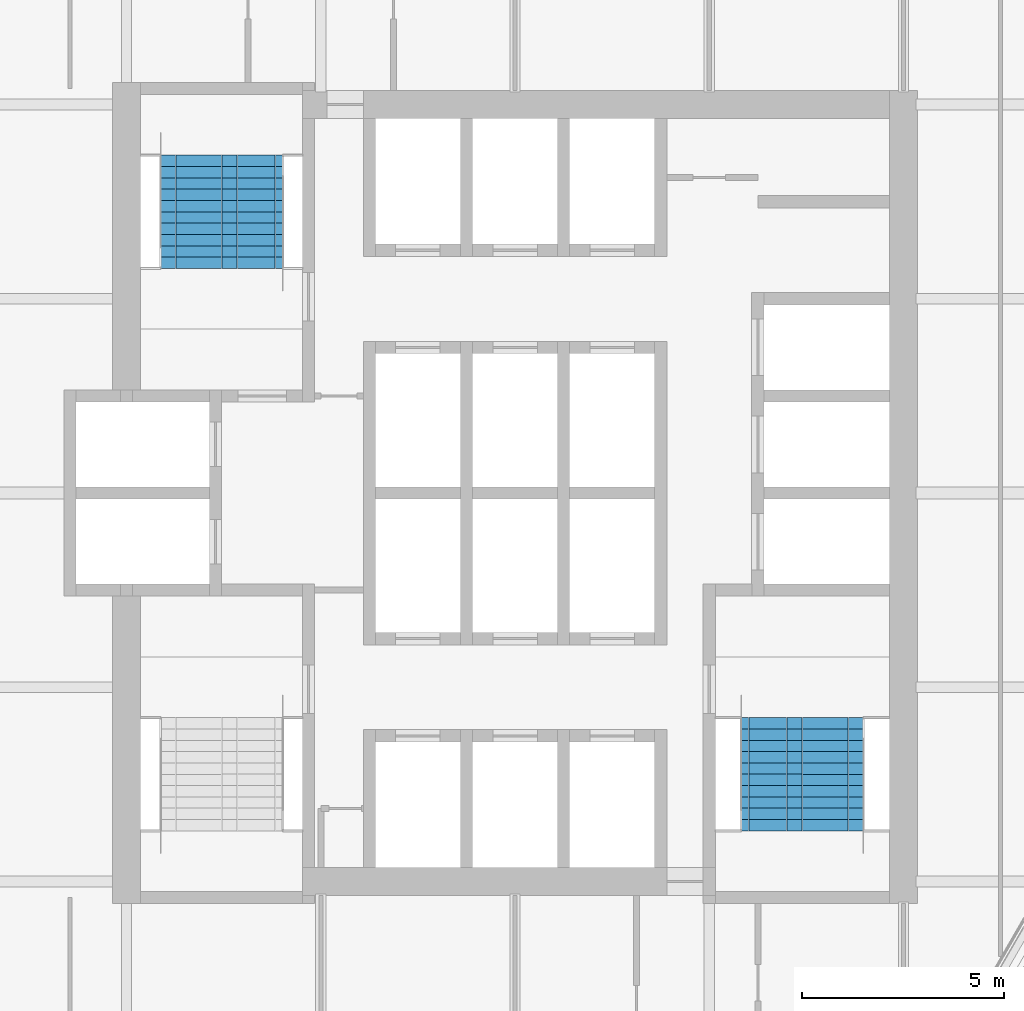
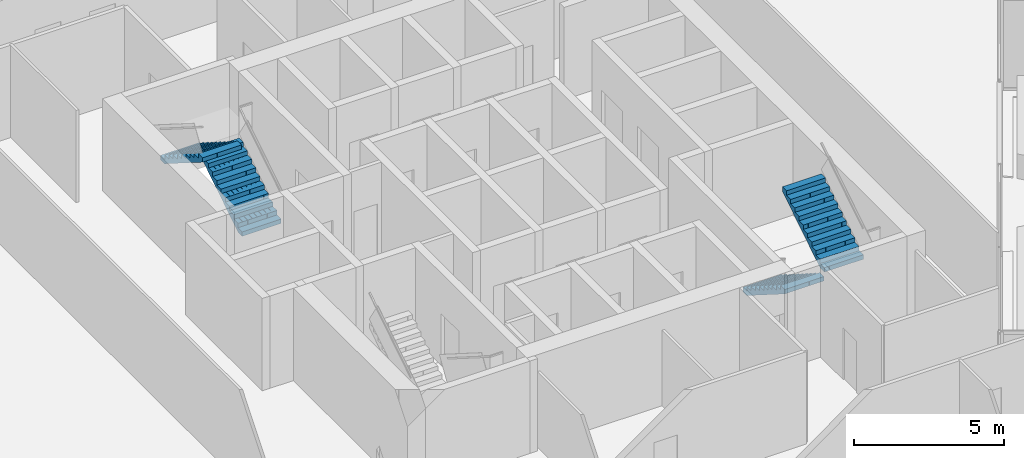
# One storey, part 15 of 17: 4 stair flights, 2 elements without a shape of their own.
"""IFC4 building model written with IfcOpenShell, lengths in metres."""

from ifc_helpers import new_model, si_unit, direction, frame, origin, place, context, subcontext, project, spatial, polyline, outline, extrude, material, type_object, element, aggregate, save


model = new_model("IFC4")

# Units and contexts
model_context = context("Model", 3, precision=1e-05, world=origin(), true_north=direction((0.0, 1.0)))
body_context = subcontext(model_context, "Body", "Model", "MODEL_VIEW")
ifc_project = project(units=[si_unit("LENGTHUNIT", "METRE"), si_unit("AREAUNIT", "SQUARE_METRE"), si_unit("VOLUMEUNIT", "CUBIC_METRE"), si_unit("PLANEANGLEUNIT", "RADIAN"), si_unit("MASSUNIT", "GRAM", prefix="KILO")], contexts=[model_context])

# Site, building, storey
site_placement = place(None, origin())
site = spatial("IfcSite", under=ifc_project, at=site_placement, CompositionType="ELEMENT")
building_placement = place(site_placement, origin())
building = spatial("IfcBuilding", under=site, at=building_placement, Name="Kolab Exchange Tower", CompositionType="ELEMENT")
storey_placement = place(building_placement, frame((0.0, 0.0, 197.300048828125)))
storey = spatial("IfcBuildingStorey", under=building, at=storey_placement, Name="L42", CompositionType="ELEMENT", Elevation=197.300048828125)

# Stair, stair flights
ifc_material = material(Name="Concrete C50/60", Category="concrete")
stair_type_1 = type_object("IfcStairType", Name="STAIR ST1 RISER 177.3", PredefinedType="HALF_TURN_STAIR", material=ifc_material)
stair_1_placement = place(storey_placement, origin())
stair_1 = element("IfcStair", 1, at=stair_1_placement, inside=storey, type_object=stair_type_1, Name="Stair 1", PredefinedType="HALF_TURN_STAIR")
stair_flight_type = type_object("IfcStairFlightType", Name="STAIR FLIGHT 1500 RISER 177.3", PredefinedType="STRAIGHT", material=ifc_material)
stair_flight_1_placement = place(storey_placement, frame((-6.489990234375, 5.550048828125, 0.0), z_axis=(0.0, 0.0, 1.0), x_axis=(0.0, 1.0, 0.0)))
stair_flight_1 = element("IfcStairFlight", 2, at=stair_flight_1_placement, type_object=stair_flight_type, Name="ST1 flight 1", NumberOfRisers=11, NumberOfTreads=10, PredefinedType="STRAIGHT", RiserHeight=0.177272727, TreadLength=0.28, context=body_context, shape_type="SweptSolid", body=[
    extrude(outline(polyline([(0.0, 0.0), (0.0, 0.17724609375), (0.280029296875, 0.17724609375), (0.280029296875, 0.3544921875), (0.56005859375, 0.3544921875), (0.56005859375, 0.53173828125), (0.840087890625, 0.53173828125), (0.840087890625, 0.708984375), (1.1201171875, 0.708984375), (1.1201171875, 0.886474609375), (1.39990234375, 0.886474609375), (1.39990234375, 1.063720703125), (1.679931640625, 1.063720703125), (1.679931640625, 1.240966796875), (1.9599609375, 1.240966796875), (1.9599609375, 1.418212890625), (2.239990234375, 1.418212890625), (2.239990234375, 1.595458984375), (2.52001953125, 1.595458984375), (2.52001953125, 1.772705078125), (2.800048828125, 1.772705078125), (2.800048828125, 1.949951171875), (2.800048828125, 1.59521484375), (0.2802734375, 0.0), (0.0, 0.0)])), frame((0.0, 0.75, 0.0), z_axis=(0.0, -1.0, 0.0), x_axis=(1.0, 0.0, 0.0)), (0.0, 0.0, 1.0), 0.185791015625),
    extrude(outline(polyline([(0.0, 0.0), (0.0, 0.17724609375), (0.280029296875, 0.17724609375), (0.280029296875, 0.3544921875), (0.56005859375, 0.3544921875), (0.56005859375, 0.53173828125), (0.840087890625, 0.53173828125), (0.840087890625, 0.708984375), (1.1201171875, 0.708984375), (1.1201171875, 0.886474609375), (1.39990234375, 0.886474609375), (1.39990234375, 1.063720703125), (1.679931640625, 1.063720703125), (1.679931640625, 1.240966796875), (1.9599609375, 1.240966796875), (1.9599609375, 1.418212890625), (2.239990234375, 1.418212890625), (2.239990234375, 1.595458984375), (2.52001953125, 1.595458984375), (2.52001953125, 1.772705078125), (2.800048828125, 1.772705078125), (2.800048828125, 1.949951171875), (2.800048828125, 1.59521484375), (0.2802734375, 0.0), (0.0, 0.0)])), frame((0.0, 0.562255859375, 0.0), z_axis=(0.0, -1.0, 0.0), x_axis=(1.0, 0.0, 0.0)), (0.0, 0.0, 1.0), 0.185791015625),
    extrude(outline(polyline([(0.0, 0.0), (0.0, 0.17724609375), (0.280029296875, 0.17724609375), (0.280029296875, 0.3544921875), (0.56005859375, 0.3544921875), (0.56005859375, 0.53173828125), (0.840087890625, 0.53173828125), (0.840087890625, 0.708984375), (1.1201171875, 0.708984375), (1.1201171875, 0.886474609375), (1.39990234375, 0.886474609375), (1.39990234375, 1.063720703125), (1.679931640625, 1.063720703125), (1.679931640625, 1.240966796875), (1.9599609375, 1.240966796875), (1.9599609375, 1.418212890625), (2.239990234375, 1.418212890625), (2.239990234375, 1.595458984375), (2.52001953125, 1.595458984375), (2.52001953125, 1.772705078125), (2.800048828125, 1.772705078125), (2.800048828125, 1.949951171875), (2.800048828125, 1.59521484375), (0.2802734375, 0.0), (0.0, 0.0)])), frame((0.0, 0.37451171875, 0.0), z_axis=(0.0, -1.0, 0.0), x_axis=(1.0, 0.0, 0.0)), (0.0, 0.0, 1.0), 0.185791015625),
    extrude(outline(polyline([(0.0, 0.0), (0.0, 0.17724609375), (0.280029296875, 0.17724609375), (0.280029296875, 0.3544921875), (0.56005859375, 0.3544921875), (0.56005859375, 0.53173828125), (0.840087890625, 0.53173828125), (0.840087890625, 0.708984375), (1.1201171875, 0.708984375), (1.1201171875, 0.886474609375), (1.39990234375, 0.886474609375), (1.39990234375, 1.063720703125), (1.679931640625, 1.063720703125), (1.679931640625, 1.240966796875), (1.9599609375, 1.240966796875), (1.9599609375, 1.418212890625), (2.239990234375, 1.418212890625), (2.239990234375, 1.595458984375), (2.52001953125, 1.595458984375), (2.52001953125, 1.772705078125), (2.800048828125, 1.772705078125), (2.800048828125, 1.949951171875), (2.800048828125, 1.59521484375), (0.2802734375, 0.0), (0.0, 0.0)])), frame((0.0, 0.186767578125, 0.0), z_axis=(0.0, -1.0, 0.0), x_axis=(1.0, 0.0, 0.0)), (0.0, 0.0, 1.0), 0.185791015625),
    extrude(outline(polyline([(0.0, 0.0), (0.0, 0.17724609375), (0.280029296875, 0.17724609375), (0.280029296875, 0.3544921875), (0.56005859375, 0.3544921875), (0.56005859375, 0.53173828125), (0.840087890625, 0.53173828125), (0.840087890625, 0.708984375), (1.1201171875, 0.708984375), (1.1201171875, 0.886474609375), (1.39990234375, 0.886474609375), (1.39990234375, 1.063720703125), (1.679931640625, 1.063720703125), (1.679931640625, 1.240966796875), (1.9599609375, 1.240966796875), (1.9599609375, 1.418212890625), (2.239990234375, 1.418212890625), (2.239990234375, 1.595458984375), (2.52001953125, 1.595458984375), (2.52001953125, 1.772705078125), (2.800048828125, 1.772705078125), (2.800048828125, 1.949951171875), (2.800048828125, 1.59521484375), (0.2802734375, 0.0), (0.0, 0.0)])), frame((0.0, -0.0009765625, 0.0), z_axis=(0.0, -1.0, 0.0), x_axis=(1.0, 0.0, 0.0)), (0.0, 0.0, 1.0), 0.185791015625),
    extrude(outline(polyline([(0.0, 0.0), (0.0, 0.17724609375), (0.280029296875, 0.17724609375), (0.280029296875, 0.3544921875), (0.56005859375, 0.3544921875), (0.56005859375, 0.53173828125), (0.840087890625, 0.53173828125), (0.840087890625, 0.708984375), (1.1201171875, 0.708984375), (1.1201171875, 0.886474609375), (1.39990234375, 0.886474609375), (1.39990234375, 1.063720703125), (1.679931640625, 1.063720703125), (1.679931640625, 1.240966796875), (1.9599609375, 1.240966796875), (1.9599609375, 1.418212890625), (2.239990234375, 1.418212890625), (2.239990234375, 1.595458984375), (2.52001953125, 1.595458984375), (2.52001953125, 1.772705078125), (2.800048828125, 1.772705078125), (2.800048828125, 1.949951171875), (2.800048828125, 1.59521484375), (0.2802734375, 0.0), (0.0, 0.0)])), frame((0.0, -0.188720703125, 0.0), z_axis=(0.0, -1.0, 0.0), x_axis=(1.0, 0.0, 0.0)), (0.0, 0.0, 1.0), 0.185791015625),
    extrude(outline(polyline([(0.0, 0.0), (0.0, 0.17724609375), (0.280029296875, 0.17724609375), (0.280029296875, 0.3544921875), (0.56005859375, 0.3544921875), (0.56005859375, 0.53173828125), (0.840087890625, 0.53173828125), (0.840087890625, 0.708984375), (1.1201171875, 0.708984375), (1.1201171875, 0.886474609375), (1.39990234375, 0.886474609375), (1.39990234375, 1.063720703125), (1.679931640625, 1.063720703125), (1.679931640625, 1.240966796875), (1.9599609375, 1.240966796875), (1.9599609375, 1.418212890625), (2.239990234375, 1.418212890625), (2.239990234375, 1.595458984375), (2.52001953125, 1.595458984375), (2.52001953125, 1.772705078125), (2.800048828125, 1.772705078125), (2.800048828125, 1.949951171875), (2.800048828125, 1.59521484375), (0.2802734375, 0.0), (0.0, 0.0)])), frame((0.0, -0.37646484375, 0.0), z_axis=(0.0, -1.0, 0.0), x_axis=(1.0, 0.0, 0.0)), (0.0, 0.0, 1.0), 0.185791015625),
    extrude(outline(polyline([(0.0, 0.0), (0.0, 0.17724609375), (0.280029296875, 0.17724609375), (0.280029296875, 0.3544921875), (0.56005859375, 0.3544921875), (0.56005859375, 0.53173828125), (0.840087890625, 0.53173828125), (0.840087890625, 0.708984375), (1.1201171875, 0.708984375), (1.1201171875, 0.886474609375), (1.39990234375, 0.886474609375), (1.39990234375, 1.063720703125), (1.679931640625, 1.063720703125), (1.679931640625, 1.240966796875), (1.9599609375, 1.240966796875), (1.9599609375, 1.418212890625), (2.239990234375, 1.418212890625), (2.239990234375, 1.595458984375), (2.52001953125, 1.595458984375), (2.52001953125, 1.772705078125), (2.800048828125, 1.772705078125), (2.800048828125, 1.949951171875), (2.800048828125, 1.59521484375), (0.2802734375, 0.0), (0.0, 0.0)])), frame((0.0, -0.564208984375, 0.0), z_axis=(0.0, -1.0, 0.0), x_axis=(1.0, 0.0, 0.0)), (0.0, 0.0, 1.0), 0.185791015625),
])
stair_flight_2_placement = place(storey_placement, frame((-8.010009765625, 8.35009765625, 1.949951171875), z_axis=(0.0, 0.0, 1.0), x_axis=(0.0, -1.0, 0.0)))
stair_flight_2 = element("IfcStairFlight", 3, at=stair_flight_2_placement, type_object=stair_flight_type, Name="ST1 flight 2", NumberOfRisers=11, NumberOfTreads=10, PredefinedType="STRAIGHT", RiserHeight=0.177272727, TreadLength=0.28, context=body_context, shape_type="SweptSolid", body=[
    extrude(outline(polyline([(0.0, 0.0), (0.0, 0.17724609375), (0.280029296875, 0.17724609375), (0.280029296875, 0.3544921875), (0.56005859375, 0.3544921875), (0.56005859375, 0.53173828125), (0.840087890625, 0.53173828125), (0.840087890625, 0.708984375), (1.1201171875, 0.708984375), (1.1201171875, 0.886474609375), (1.39990234375, 0.886474609375), (1.39990234375, 1.063720703125), (1.679931640625, 1.063720703125), (1.679931640625, 1.240966796875), (1.9599609375, 1.240966796875), (1.9599609375, 1.418212890625), (2.239990234375, 1.418212890625), (2.239990234375, 1.595458984375), (2.52001953125, 1.595458984375), (2.52001953125, 1.772705078125), (2.800048828125, 1.772705078125), (2.800048828125, 1.949951171875), (2.800048828125, 1.59521484375), (0.2802734375, 0.0), (0.0, 0.0)])), frame((0.0, 0.75, 0.0), z_axis=(0.0, -1.0, 0.0), x_axis=(1.0, 0.0, 0.0)), (0.0, 0.0, 1.0), 0.185791015625),
    extrude(outline(polyline([(0.0, 0.0), (0.0, 0.17724609375), (0.280029296875, 0.17724609375), (0.280029296875, 0.3544921875), (0.56005859375, 0.3544921875), (0.56005859375, 0.53173828125), (0.840087890625, 0.53173828125), (0.840087890625, 0.708984375), (1.1201171875, 0.708984375), (1.1201171875, 0.886474609375), (1.39990234375, 0.886474609375), (1.39990234375, 1.063720703125), (1.679931640625, 1.063720703125), (1.679931640625, 1.240966796875), (1.9599609375, 1.240966796875), (1.9599609375, 1.418212890625), (2.239990234375, 1.418212890625), (2.239990234375, 1.595458984375), (2.52001953125, 1.595458984375), (2.52001953125, 1.772705078125), (2.800048828125, 1.772705078125), (2.800048828125, 1.949951171875), (2.800048828125, 1.59521484375), (0.2802734375, 0.0), (0.0, 0.0)])), frame((0.0, 0.562255859375, 0.0), z_axis=(0.0, -1.0, 0.0), x_axis=(1.0, 0.0, 0.0)), (0.0, 0.0, 1.0), 0.185791015625),
    extrude(outline(polyline([(0.0, 0.0), (0.0, 0.17724609375), (0.280029296875, 0.17724609375), (0.280029296875, 0.3544921875), (0.56005859375, 0.3544921875), (0.56005859375, 0.53173828125), (0.840087890625, 0.53173828125), (0.840087890625, 0.708984375), (1.1201171875, 0.708984375), (1.1201171875, 0.886474609375), (1.39990234375, 0.886474609375), (1.39990234375, 1.063720703125), (1.679931640625, 1.063720703125), (1.679931640625, 1.240966796875), (1.9599609375, 1.240966796875), (1.9599609375, 1.418212890625), (2.239990234375, 1.418212890625), (2.239990234375, 1.595458984375), (2.52001953125, 1.595458984375), (2.52001953125, 1.772705078125), (2.800048828125, 1.772705078125), (2.800048828125, 1.949951171875), (2.800048828125, 1.59521484375), (0.2802734375, 0.0), (0.0, 0.0)])), frame((0.0, 0.37451171875, 0.0), z_axis=(0.0, -1.0, 0.0), x_axis=(1.0, 0.0, 0.0)), (0.0, 0.0, 1.0), 0.185791015625),
    extrude(outline(polyline([(0.0, 0.0), (0.0, 0.17724609375), (0.280029296875, 0.17724609375), (0.280029296875, 0.3544921875), (0.56005859375, 0.3544921875), (0.56005859375, 0.53173828125), (0.840087890625, 0.53173828125), (0.840087890625, 0.708984375), (1.1201171875, 0.708984375), (1.1201171875, 0.886474609375), (1.39990234375, 0.886474609375), (1.39990234375, 1.063720703125), (1.679931640625, 1.063720703125), (1.679931640625, 1.240966796875), (1.9599609375, 1.240966796875), (1.9599609375, 1.418212890625), (2.239990234375, 1.418212890625), (2.239990234375, 1.595458984375), (2.52001953125, 1.595458984375), (2.52001953125, 1.772705078125), (2.800048828125, 1.772705078125), (2.800048828125, 1.949951171875), (2.800048828125, 1.59521484375), (0.2802734375, 0.0), (0.0, 0.0)])), frame((0.0, 0.186767578125, 0.0), z_axis=(0.0, -1.0, 0.0), x_axis=(1.0, 0.0, 0.0)), (0.0, 0.0, 1.0), 0.185791015625),
    extrude(outline(polyline([(0.0, 0.0), (0.0, 0.17724609375), (0.280029296875, 0.17724609375), (0.280029296875, 0.3544921875), (0.56005859375, 0.3544921875), (0.56005859375, 0.53173828125), (0.840087890625, 0.53173828125), (0.840087890625, 0.708984375), (1.1201171875, 0.708984375), (1.1201171875, 0.886474609375), (1.39990234375, 0.886474609375), (1.39990234375, 1.063720703125), (1.679931640625, 1.063720703125), (1.679931640625, 1.240966796875), (1.9599609375, 1.240966796875), (1.9599609375, 1.418212890625), (2.239990234375, 1.418212890625), (2.239990234375, 1.595458984375), (2.52001953125, 1.595458984375), (2.52001953125, 1.772705078125), (2.800048828125, 1.772705078125), (2.800048828125, 1.949951171875), (2.800048828125, 1.59521484375), (0.2802734375, 0.0), (0.0, 0.0)])), frame((0.0, -0.0009765625, 0.0), z_axis=(0.0, -1.0, 0.0), x_axis=(1.0, 0.0, 0.0)), (0.0, 0.0, 1.0), 0.185791015625),
    extrude(outline(polyline([(0.0, 0.0), (0.0, 0.17724609375), (0.280029296875, 0.17724609375), (0.280029296875, 0.3544921875), (0.56005859375, 0.3544921875), (0.56005859375, 0.53173828125), (0.840087890625, 0.53173828125), (0.840087890625, 0.708984375), (1.1201171875, 0.708984375), (1.1201171875, 0.886474609375), (1.39990234375, 0.886474609375), (1.39990234375, 1.063720703125), (1.679931640625, 1.063720703125), (1.679931640625, 1.240966796875), (1.9599609375, 1.240966796875), (1.9599609375, 1.418212890625), (2.239990234375, 1.418212890625), (2.239990234375, 1.595458984375), (2.52001953125, 1.595458984375), (2.52001953125, 1.772705078125), (2.800048828125, 1.772705078125), (2.800048828125, 1.949951171875), (2.800048828125, 1.59521484375), (0.2802734375, 0.0), (0.0, 0.0)])), frame((0.0, -0.188720703125, 0.0), z_axis=(0.0, -1.0, 0.0), x_axis=(1.0, 0.0, 0.0)), (0.0, 0.0, 1.0), 0.185791015625),
    extrude(outline(polyline([(0.0, 0.0), (0.0, 0.17724609375), (0.280029296875, 0.17724609375), (0.280029296875, 0.3544921875), (0.56005859375, 0.3544921875), (0.56005859375, 0.53173828125), (0.840087890625, 0.53173828125), (0.840087890625, 0.708984375), (1.1201171875, 0.708984375), (1.1201171875, 0.886474609375), (1.39990234375, 0.886474609375), (1.39990234375, 1.063720703125), (1.679931640625, 1.063720703125), (1.679931640625, 1.240966796875), (1.9599609375, 1.240966796875), (1.9599609375, 1.418212890625), (2.239990234375, 1.418212890625), (2.239990234375, 1.595458984375), (2.52001953125, 1.595458984375), (2.52001953125, 1.772705078125), (2.800048828125, 1.772705078125), (2.800048828125, 1.949951171875), (2.800048828125, 1.59521484375), (0.2802734375, 0.0), (0.0, 0.0)])), frame((0.0, -0.37646484375, 0.0), z_axis=(0.0, -1.0, 0.0), x_axis=(1.0, 0.0, 0.0)), (0.0, 0.0, 1.0), 0.185791015625),
    extrude(outline(polyline([(0.0, 0.0), (0.0, 0.17724609375), (0.280029296875, 0.17724609375), (0.280029296875, 0.3544921875), (0.56005859375, 0.3544921875), (0.56005859375, 0.53173828125), (0.840087890625, 0.53173828125), (0.840087890625, 0.708984375), (1.1201171875, 0.708984375), (1.1201171875, 0.886474609375), (1.39990234375, 0.886474609375), (1.39990234375, 1.063720703125), (1.679931640625, 1.063720703125), (1.679931640625, 1.240966796875), (1.9599609375, 1.240966796875), (1.9599609375, 1.418212890625), (2.239990234375, 1.418212890625), (2.239990234375, 1.595458984375), (2.52001953125, 1.595458984375), (2.52001953125, 1.772705078125), (2.800048828125, 1.772705078125), (2.800048828125, 1.949951171875), (2.800048828125, 1.59521484375), (0.2802734375, 0.0), (0.0, 0.0)])), frame((0.0, -0.564208984375, 0.0), z_axis=(0.0, -1.0, 0.0), x_axis=(1.0, 0.0, 0.0)), (0.0, 0.0, 1.0), 0.185791015625),
])
aggregate(stair_1, [stair_flight_1, stair_flight_2])

stair_type_2 = type_object("IfcStairType", Name="STAIR ST2 RISER 177.3", PredefinedType="HALF_TURN_STAIR", material=ifc_material)
stair_2_placement = place(storey_placement, origin())
stair_2 = element("IfcStair", 4, at=stair_2_placement, inside=storey, type_object=stair_type_2, Name="Stair 2", PredefinedType="HALF_TURN_STAIR")
stair_flight_3_placement = place(storey_placement, frame((6.340087890625, -5.550048828125, 0.0), z_axis=(0.0, 0.0, 1.0), x_axis=(0.0, -1.0, 0.0)))
stair_flight_3 = element("IfcStairFlight", 5, at=stair_flight_3_placement, type_object=stair_flight_type, Name="ST2 flight 1", NumberOfRisers=11, NumberOfTreads=10, PredefinedType="STRAIGHT", RiserHeight=0.177272727, TreadLength=0.28, context=body_context, shape_type="SweptSolid", body=[
    extrude(outline(polyline([(0.0, 0.0), (0.0, 0.17724609375), (0.280029296875, 0.17724609375), (0.280029296875, 0.3544921875), (0.56005859375, 0.3544921875), (0.56005859375, 0.53173828125), (0.840087890625, 0.53173828125), (0.840087890625, 0.708984375), (1.1201171875, 0.708984375), (1.1201171875, 0.886474609375), (1.39990234375, 0.886474609375), (1.39990234375, 1.063720703125), (1.679931640625, 1.063720703125), (1.679931640625, 1.240966796875), (1.9599609375, 1.240966796875), (1.9599609375, 1.418212890625), (2.239990234375, 1.418212890625), (2.239990234375, 1.595458984375), (2.52001953125, 1.595458984375), (2.52001953125, 1.772705078125), (2.800048828125, 1.772705078125), (2.800048828125, 1.949951171875), (2.800048828125, 1.59521484375), (0.2802734375, 0.0), (0.0, 0.0)])), frame((0.0, 0.75, 0.0), z_axis=(0.0, -1.0, 0.0), x_axis=(1.0, 0.0, 0.0)), (0.0, 0.0, 1.0), 0.185791015625),
    extrude(outline(polyline([(0.0, 0.0), (0.0, 0.17724609375), (0.280029296875, 0.17724609375), (0.280029296875, 0.3544921875), (0.56005859375, 0.3544921875), (0.56005859375, 0.53173828125), (0.840087890625, 0.53173828125), (0.840087890625, 0.708984375), (1.1201171875, 0.708984375), (1.1201171875, 0.886474609375), (1.39990234375, 0.886474609375), (1.39990234375, 1.063720703125), (1.679931640625, 1.063720703125), (1.679931640625, 1.240966796875), (1.9599609375, 1.240966796875), (1.9599609375, 1.418212890625), (2.239990234375, 1.418212890625), (2.239990234375, 1.595458984375), (2.52001953125, 1.595458984375), (2.52001953125, 1.772705078125), (2.800048828125, 1.772705078125), (2.800048828125, 1.949951171875), (2.800048828125, 1.59521484375), (0.2802734375, 0.0), (0.0, 0.0)])), frame((0.0, 0.562255859375, 0.0), z_axis=(0.0, -1.0, 0.0), x_axis=(1.0, 0.0, 0.0)), (0.0, 0.0, 1.0), 0.185791015625),
    extrude(outline(polyline([(0.0, 0.0), (0.0, 0.17724609375), (0.280029296875, 0.17724609375), (0.280029296875, 0.3544921875), (0.56005859375, 0.3544921875), (0.56005859375, 0.53173828125), (0.840087890625, 0.53173828125), (0.840087890625, 0.708984375), (1.1201171875, 0.708984375), (1.1201171875, 0.886474609375), (1.39990234375, 0.886474609375), (1.39990234375, 1.063720703125), (1.679931640625, 1.063720703125), (1.679931640625, 1.240966796875), (1.9599609375, 1.240966796875), (1.9599609375, 1.418212890625), (2.239990234375, 1.418212890625), (2.239990234375, 1.595458984375), (2.52001953125, 1.595458984375), (2.52001953125, 1.772705078125), (2.800048828125, 1.772705078125), (2.800048828125, 1.949951171875), (2.800048828125, 1.59521484375), (0.2802734375, 0.0), (0.0, 0.0)])), frame((0.0, 0.37451171875, 0.0), z_axis=(0.0, -1.0, 0.0), x_axis=(1.0, 0.0, 0.0)), (0.0, 0.0, 1.0), 0.185791015625),
    extrude(outline(polyline([(0.0, 0.0), (0.0, 0.17724609375), (0.280029296875, 0.17724609375), (0.280029296875, 0.3544921875), (0.56005859375, 0.3544921875), (0.56005859375, 0.53173828125), (0.840087890625, 0.53173828125), (0.840087890625, 0.708984375), (1.1201171875, 0.708984375), (1.1201171875, 0.886474609375), (1.39990234375, 0.886474609375), (1.39990234375, 1.063720703125), (1.679931640625, 1.063720703125), (1.679931640625, 1.240966796875), (1.9599609375, 1.240966796875), (1.9599609375, 1.418212890625), (2.239990234375, 1.418212890625), (2.239990234375, 1.595458984375), (2.52001953125, 1.595458984375), (2.52001953125, 1.772705078125), (2.800048828125, 1.772705078125), (2.800048828125, 1.949951171875), (2.800048828125, 1.59521484375), (0.2802734375, 0.0), (0.0, 0.0)])), frame((0.0, 0.186767578125, 0.0), z_axis=(0.0, -1.0, 0.0), x_axis=(1.0, 0.0, 0.0)), (0.0, 0.0, 1.0), 0.185791015625),
    extrude(outline(polyline([(0.0, 0.0), (0.0, 0.17724609375), (0.280029296875, 0.17724609375), (0.280029296875, 0.3544921875), (0.56005859375, 0.3544921875), (0.56005859375, 0.53173828125), (0.840087890625, 0.53173828125), (0.840087890625, 0.708984375), (1.1201171875, 0.708984375), (1.1201171875, 0.886474609375), (1.39990234375, 0.886474609375), (1.39990234375, 1.063720703125), (1.679931640625, 1.063720703125), (1.679931640625, 1.240966796875), (1.9599609375, 1.240966796875), (1.9599609375, 1.418212890625), (2.239990234375, 1.418212890625), (2.239990234375, 1.595458984375), (2.52001953125, 1.595458984375), (2.52001953125, 1.772705078125), (2.800048828125, 1.772705078125), (2.800048828125, 1.949951171875), (2.800048828125, 1.59521484375), (0.2802734375, 0.0), (0.0, 0.0)])), frame((0.0, -0.0009765625, 0.0), z_axis=(0.0, -1.0, 0.0), x_axis=(1.0, 0.0, 0.0)), (0.0, 0.0, 1.0), 0.185791015625),
    extrude(outline(polyline([(0.0, 0.0), (0.0, 0.17724609375), (0.280029296875, 0.17724609375), (0.280029296875, 0.3544921875), (0.56005859375, 0.3544921875), (0.56005859375, 0.53173828125), (0.840087890625, 0.53173828125), (0.840087890625, 0.708984375), (1.1201171875, 0.708984375), (1.1201171875, 0.886474609375), (1.39990234375, 0.886474609375), (1.39990234375, 1.063720703125), (1.679931640625, 1.063720703125), (1.679931640625, 1.240966796875), (1.9599609375, 1.240966796875), (1.9599609375, 1.418212890625), (2.239990234375, 1.418212890625), (2.239990234375, 1.595458984375), (2.52001953125, 1.595458984375), (2.52001953125, 1.772705078125), (2.800048828125, 1.772705078125), (2.800048828125, 1.949951171875), (2.800048828125, 1.59521484375), (0.2802734375, 0.0), (0.0, 0.0)])), frame((0.0, -0.188720703125, 0.0), z_axis=(0.0, -1.0, 0.0), x_axis=(1.0, 0.0, 0.0)), (0.0, 0.0, 1.0), 0.185791015625),
    extrude(outline(polyline([(0.0, 0.0), (0.0, 0.17724609375), (0.280029296875, 0.17724609375), (0.280029296875, 0.3544921875), (0.56005859375, 0.3544921875), (0.56005859375, 0.53173828125), (0.840087890625, 0.53173828125), (0.840087890625, 0.708984375), (1.1201171875, 0.708984375), (1.1201171875, 0.886474609375), (1.39990234375, 0.886474609375), (1.39990234375, 1.063720703125), (1.679931640625, 1.063720703125), (1.679931640625, 1.240966796875), (1.9599609375, 1.240966796875), (1.9599609375, 1.418212890625), (2.239990234375, 1.418212890625), (2.239990234375, 1.595458984375), (2.52001953125, 1.595458984375), (2.52001953125, 1.772705078125), (2.800048828125, 1.772705078125), (2.800048828125, 1.949951171875), (2.800048828125, 1.59521484375), (0.2802734375, 0.0), (0.0, 0.0)])), frame((0.0, -0.37646484375, 0.0), z_axis=(0.0, -1.0, 0.0), x_axis=(1.0, 0.0, 0.0)), (0.0, 0.0, 1.0), 0.185791015625),
    extrude(outline(polyline([(0.0, 0.0), (0.0, 0.17724609375), (0.280029296875, 0.17724609375), (0.280029296875, 0.3544921875), (0.56005859375, 0.3544921875), (0.56005859375, 0.53173828125), (0.840087890625, 0.53173828125), (0.840087890625, 0.708984375), (1.1201171875, 0.708984375), (1.1201171875, 0.886474609375), (1.39990234375, 0.886474609375), (1.39990234375, 1.063720703125), (1.679931640625, 1.063720703125), (1.679931640625, 1.240966796875), (1.9599609375, 1.240966796875), (1.9599609375, 1.418212890625), (2.239990234375, 1.418212890625), (2.239990234375, 1.595458984375), (2.52001953125, 1.595458984375), (2.52001953125, 1.772705078125), (2.800048828125, 1.772705078125), (2.800048828125, 1.949951171875), (2.800048828125, 1.59521484375), (0.2802734375, 0.0), (0.0, 0.0)])), frame((0.0, -0.564208984375, 0.0), z_axis=(0.0, -1.0, 0.0), x_axis=(1.0, 0.0, 0.0)), (0.0, 0.0, 1.0), 0.185791015625),
])
stair_flight_4_placement = place(storey_placement, frame((7.860107421875, -8.35009765625, 1.949951171875), z_axis=(0.0, 0.0, 1.0), x_axis=(0.0, 1.0, 0.0)))
stair_flight_4 = element("IfcStairFlight", 6, at=stair_flight_4_placement, type_object=stair_flight_type, Name="ST2 flight 2", NumberOfRisers=11, NumberOfTreads=10, PredefinedType="STRAIGHT", RiserHeight=0.177272727, TreadLength=0.28, context=body_context, shape_type="SweptSolid", body=[
    extrude(outline(polyline([(0.0, 0.0), (0.0, 0.17724609375), (0.280029296875, 0.17724609375), (0.280029296875, 0.3544921875), (0.56005859375, 0.3544921875), (0.56005859375, 0.53173828125), (0.840087890625, 0.53173828125), (0.840087890625, 0.708984375), (1.1201171875, 0.708984375), (1.1201171875, 0.886474609375), (1.39990234375, 0.886474609375), (1.39990234375, 1.063720703125), (1.679931640625, 1.063720703125), (1.679931640625, 1.240966796875), (1.9599609375, 1.240966796875), (1.9599609375, 1.418212890625), (2.239990234375, 1.418212890625), (2.239990234375, 1.595458984375), (2.52001953125, 1.595458984375), (2.52001953125, 1.772705078125), (2.800048828125, 1.772705078125), (2.800048828125, 1.949951171875), (2.800048828125, 1.59521484375), (0.2802734375, 0.0), (0.0, 0.0)])), frame((0.0, 0.75, 0.0), z_axis=(0.0, -1.0, 0.0), x_axis=(1.0, 0.0, 0.0)), (0.0, 0.0, 1.0), 0.185791015625),
    extrude(outline(polyline([(0.0, 0.0), (0.0, 0.17724609375), (0.280029296875, 0.17724609375), (0.280029296875, 0.3544921875), (0.56005859375, 0.3544921875), (0.56005859375, 0.53173828125), (0.840087890625, 0.53173828125), (0.840087890625, 0.708984375), (1.1201171875, 0.708984375), (1.1201171875, 0.886474609375), (1.39990234375, 0.886474609375), (1.39990234375, 1.063720703125), (1.679931640625, 1.063720703125), (1.679931640625, 1.240966796875), (1.9599609375, 1.240966796875), (1.9599609375, 1.418212890625), (2.239990234375, 1.418212890625), (2.239990234375, 1.595458984375), (2.52001953125, 1.595458984375), (2.52001953125, 1.772705078125), (2.800048828125, 1.772705078125), (2.800048828125, 1.949951171875), (2.800048828125, 1.59521484375), (0.2802734375, 0.0), (0.0, 0.0)])), frame((0.0, 0.562255859375, 0.0), z_axis=(0.0, -1.0, 0.0), x_axis=(1.0, 0.0, 0.0)), (0.0, 0.0, 1.0), 0.185791015625),
    extrude(outline(polyline([(0.0, 0.0), (0.0, 0.17724609375), (0.280029296875, 0.17724609375), (0.280029296875, 0.3544921875), (0.56005859375, 0.3544921875), (0.56005859375, 0.53173828125), (0.840087890625, 0.53173828125), (0.840087890625, 0.708984375), (1.1201171875, 0.708984375), (1.1201171875, 0.886474609375), (1.39990234375, 0.886474609375), (1.39990234375, 1.063720703125), (1.679931640625, 1.063720703125), (1.679931640625, 1.240966796875), (1.9599609375, 1.240966796875), (1.9599609375, 1.418212890625), (2.239990234375, 1.418212890625), (2.239990234375, 1.595458984375), (2.52001953125, 1.595458984375), (2.52001953125, 1.772705078125), (2.800048828125, 1.772705078125), (2.800048828125, 1.949951171875), (2.800048828125, 1.59521484375), (0.2802734375, 0.0), (0.0, 0.0)])), frame((0.0, 0.37451171875, 0.0), z_axis=(0.0, -1.0, 0.0), x_axis=(1.0, 0.0, 0.0)), (0.0, 0.0, 1.0), 0.185791015625),
    extrude(outline(polyline([(0.0, 0.0), (0.0, 0.17724609375), (0.280029296875, 0.17724609375), (0.280029296875, 0.3544921875), (0.56005859375, 0.3544921875), (0.56005859375, 0.53173828125), (0.840087890625, 0.53173828125), (0.840087890625, 0.708984375), (1.1201171875, 0.708984375), (1.1201171875, 0.886474609375), (1.39990234375, 0.886474609375), (1.39990234375, 1.063720703125), (1.679931640625, 1.063720703125), (1.679931640625, 1.240966796875), (1.9599609375, 1.240966796875), (1.9599609375, 1.418212890625), (2.239990234375, 1.418212890625), (2.239990234375, 1.595458984375), (2.52001953125, 1.595458984375), (2.52001953125, 1.772705078125), (2.800048828125, 1.772705078125), (2.800048828125, 1.949951171875), (2.800048828125, 1.59521484375), (0.2802734375, 0.0), (0.0, 0.0)])), frame((0.0, 0.186767578125, 0.0), z_axis=(0.0, -1.0, 0.0), x_axis=(1.0, 0.0, 0.0)), (0.0, 0.0, 1.0), 0.185791015625),
    extrude(outline(polyline([(0.0, 0.0), (0.0, 0.17724609375), (0.280029296875, 0.17724609375), (0.280029296875, 0.3544921875), (0.56005859375, 0.3544921875), (0.56005859375, 0.53173828125), (0.840087890625, 0.53173828125), (0.840087890625, 0.708984375), (1.1201171875, 0.708984375), (1.1201171875, 0.886474609375), (1.39990234375, 0.886474609375), (1.39990234375, 1.063720703125), (1.679931640625, 1.063720703125), (1.679931640625, 1.240966796875), (1.9599609375, 1.240966796875), (1.9599609375, 1.418212890625), (2.239990234375, 1.418212890625), (2.239990234375, 1.595458984375), (2.52001953125, 1.595458984375), (2.52001953125, 1.772705078125), (2.800048828125, 1.772705078125), (2.800048828125, 1.949951171875), (2.800048828125, 1.59521484375), (0.2802734375, 0.0), (0.0, 0.0)])), frame((0.0, -0.0009765625, 0.0), z_axis=(0.0, -1.0, 0.0), x_axis=(1.0, 0.0, 0.0)), (0.0, 0.0, 1.0), 0.185791015625),
    extrude(outline(polyline([(0.0, 0.0), (0.0, 0.17724609375), (0.280029296875, 0.17724609375), (0.280029296875, 0.3544921875), (0.56005859375, 0.3544921875), (0.56005859375, 0.53173828125), (0.840087890625, 0.53173828125), (0.840087890625, 0.708984375), (1.1201171875, 0.708984375), (1.1201171875, 0.886474609375), (1.39990234375, 0.886474609375), (1.39990234375, 1.063720703125), (1.679931640625, 1.063720703125), (1.679931640625, 1.240966796875), (1.9599609375, 1.240966796875), (1.9599609375, 1.418212890625), (2.239990234375, 1.418212890625), (2.239990234375, 1.595458984375), (2.52001953125, 1.595458984375), (2.52001953125, 1.772705078125), (2.800048828125, 1.772705078125), (2.800048828125, 1.949951171875), (2.800048828125, 1.59521484375), (0.2802734375, 0.0), (0.0, 0.0)])), frame((0.0, -0.188720703125, 0.0), z_axis=(0.0, -1.0, 0.0), x_axis=(1.0, 0.0, 0.0)), (0.0, 0.0, 1.0), 0.185791015625),
    extrude(outline(polyline([(0.0, 0.0), (0.0, 0.17724609375), (0.280029296875, 0.17724609375), (0.280029296875, 0.3544921875), (0.56005859375, 0.3544921875), (0.56005859375, 0.53173828125), (0.840087890625, 0.53173828125), (0.840087890625, 0.708984375), (1.1201171875, 0.708984375), (1.1201171875, 0.886474609375), (1.39990234375, 0.886474609375), (1.39990234375, 1.063720703125), (1.679931640625, 1.063720703125), (1.679931640625, 1.240966796875), (1.9599609375, 1.240966796875), (1.9599609375, 1.418212890625), (2.239990234375, 1.418212890625), (2.239990234375, 1.595458984375), (2.52001953125, 1.595458984375), (2.52001953125, 1.772705078125), (2.800048828125, 1.772705078125), (2.800048828125, 1.949951171875), (2.800048828125, 1.59521484375), (0.2802734375, 0.0), (0.0, 0.0)])), frame((0.0, -0.37646484375, 0.0), z_axis=(0.0, -1.0, 0.0), x_axis=(1.0, 0.0, 0.0)), (0.0, 0.0, 1.0), 0.185791015625),
    extrude(outline(polyline([(0.0, 0.0), (0.0, 0.17724609375), (0.280029296875, 0.17724609375), (0.280029296875, 0.3544921875), (0.56005859375, 0.3544921875), (0.56005859375, 0.53173828125), (0.840087890625, 0.53173828125), (0.840087890625, 0.708984375), (1.1201171875, 0.708984375), (1.1201171875, 0.886474609375), (1.39990234375, 0.886474609375), (1.39990234375, 1.063720703125), (1.679931640625, 1.063720703125), (1.679931640625, 1.240966796875), (1.9599609375, 1.240966796875), (1.9599609375, 1.418212890625), (2.239990234375, 1.418212890625), (2.239990234375, 1.595458984375), (2.52001953125, 1.595458984375), (2.52001953125, 1.772705078125), (2.800048828125, 1.772705078125), (2.800048828125, 1.949951171875), (2.800048828125, 1.59521484375), (0.2802734375, 0.0), (0.0, 0.0)])), frame((0.0, -0.564208984375, 0.0), z_axis=(0.0, -1.0, 0.0), x_axis=(1.0, 0.0, 0.0)), (0.0, 0.0, 1.0), 0.185791015625),
])
aggregate(stair_2, [stair_flight_3, stair_flight_4])

save(model, "model.ifc")
